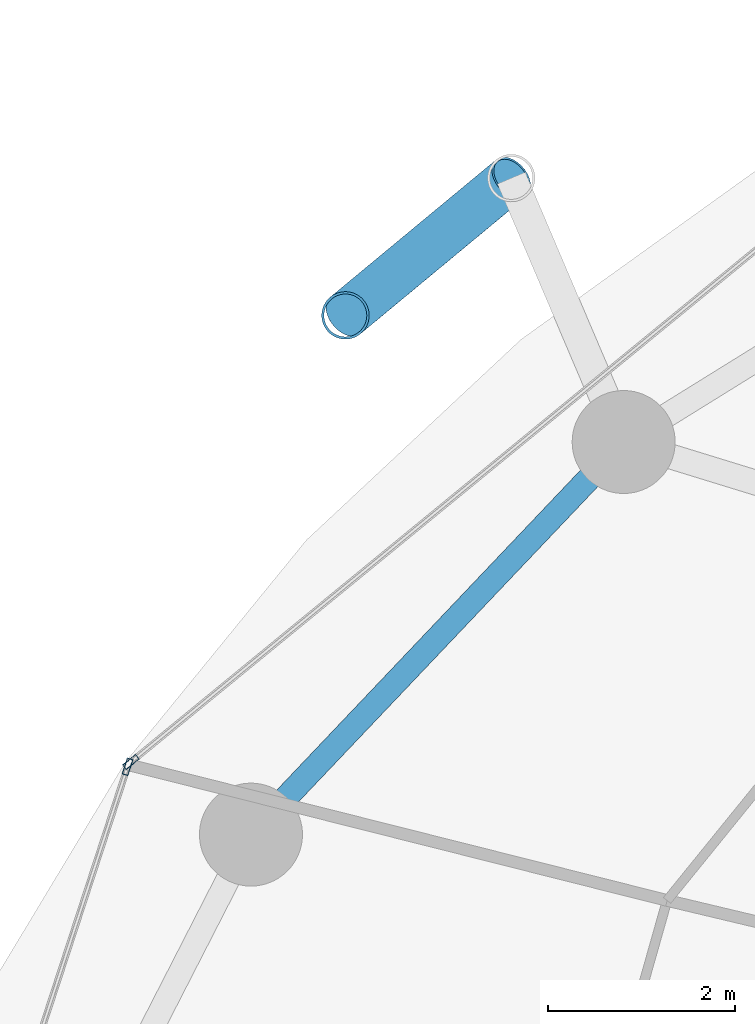
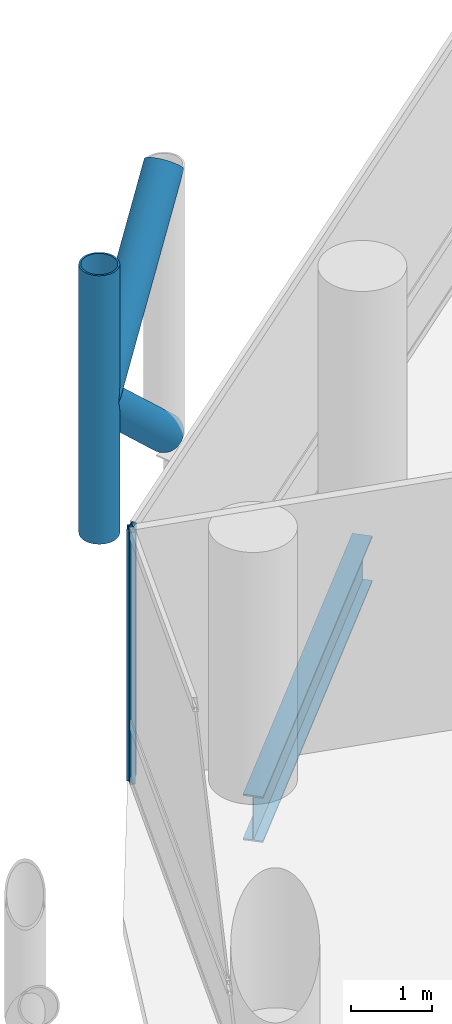
# One storey, part 13 of 24: 5 members, 1 beam, 2 elements without a shape of their own.
"""IFC4 building model written with IfcOpenShell, lengths in metres."""

from ifc_helpers import new_model, si_unit, direction, frame, origin, origin_2d, place, context, subcontext, project, spatial, hollow_rectangle, hollow_circle, i_section, extrude, material, layer, layer_set, material_profile, profile_set, type_object, element, aggregate, save


model = new_model("IFC4")

# Units and contexts
model_context = context("Model", 3, precision=1e-05, world=origin(), true_north=direction((0.0, 1.0)))
body_context = subcontext(model_context, "Body", "Model", "MODEL_VIEW")
ifc_project = project(units=[si_unit("LENGTHUNIT", "METRE"), si_unit("AREAUNIT", "SQUARE_METRE"), si_unit("VOLUMEUNIT", "CUBIC_METRE"), si_unit("PLANEANGLEUNIT", "RADIAN"), si_unit("MASSUNIT", "GRAM", prefix="KILO")], contexts=[model_context])

# Site, building, storey
site_placement = place(None, origin())
site = spatial("IfcSite", under=ifc_project, at=site_placement, CompositionType="ELEMENT")
building_placement = place(site_placement, origin())
building = spatial("IfcBuilding", under=site, at=building_placement, Name="Nuhasar Tower", CompositionType="ELEMENT")
storey_placement = place(building_placement, frame((0.0, 0.0, 85.800048828125)))
storey = spatial("IfcBuildingStorey", under=building, at=storey_placement, Name="L20", CompositionType="ELEMENT", Elevation=85.800048828125)

# Beam
ifc_material_1 = material(Name="Steel S355", Category="steel")
ifc_material_profile_1 = material_profile(ifc_material_1, i_section(OverallWidth=0.256103515625, OverallDepth=0.693115234375, WebThickness=0.014404296875, FlangeThickness=0.023681640625, at=origin_2d()), Name="W27X114")
ifc_profile_set_1 = profile_set([ifc_material_profile_1], Name="Steel S355")
beam_type = type_object("IfcBeamType", Name="BM-RING-W27X114", PredefinedType="SPANDREL", material=ifc_profile_set_1)
beam_placement = place(storey_placement, frame((21.287109375, 41.118896484375, -0.59716796875), z_axis=(-0.688480893507, -0.725254478976, 0.0), x_axis=(0.725254478976, -0.688480893507, 0.0)))
element("IfcBeam", 1, at=beam_placement, inside=storey, type_object=beam_type, Name="L20 Perimeter Ring Spandrel 10", PredefinedType="SPANDREL", context=body_context, shape_type="SweptSolid", body=[
    extrude(i_section(OverallWidth=0.256103515625, OverallDepth=0.693115234375, WebThickness=0.014404296875, FlangeThickness=0.023681640625, at=origin_2d()), origin(), (0.0, 0.0, 1.0), 5.782470703125),
])

# Curtain wall, member
ifc_material_2 = material(Name="Aluminium 6063-T6", Category="aluminium")
ifc_layer = layer(ifc_material_2, 0.199951171875)
ifc_layer_set = layer_set([ifc_layer], Name="Aluminium 6063-T6")
curtain_wall_type = type_object("IfcCurtainWallType", Name="CW-Z1-OFF", PredefinedType="NOTDEFINED", material=ifc_layer_set)
curtain_wall_1_placement = place(storey_placement, origin())
curtain_wall_1 = element("IfcCurtainWall", 2, at=curtain_wall_1_placement, inside=storey, type_object=curtain_wall_type, Name="L20 Unitised Curtain Wall 05", PredefinedType="NOTDEFINED")
ifc_material_profile_2 = material_profile(ifc_material_2, hollow_rectangle(XDim=0.06494140625, YDim=0.179931640625, WallThickness=0.0048828125, at=origin_2d()), Name="CWM-2")
ifc_profile_set_2 = profile_set([ifc_material_profile_2], Name="Aluminium 6063-T6")
member_type_1 = type_object("IfcMemberType", Name="CW-MUL-S2", PredefinedType="MULLION", material=ifc_profile_set_2)
member_1_placement = place(storey_placement, frame((16.023193359375, 37.70068359375, 0.0), z_axis=(0.0, 0.0, 1.0), x_axis=(0.633744593376, -0.773542364946, 0.0)))
member_1 = element("IfcMember", 3, at=member_1_placement, type_object=member_type_1, Name="CW-Z1 mullion 2", PredefinedType="MULLION", context=body_context, shape_type="SweptSolid", body=[
    extrude(hollow_rectangle(XDim=0.06494140625, YDim=0.179931640625, WallThickness=0.0048828125, at=origin_2d()), origin(), (0.0, 0.0, 1.0), 3.800048828125),
])
aggregate(curtain_wall_1, [member_1])

curtain_wall_2_placement = place(storey_placement, origin())
curtain_wall_2 = element("IfcCurtainWall", 4, at=curtain_wall_2_placement, inside=storey, type_object=curtain_wall_type, Name="L20 Unitised Curtain Wall 06", PredefinedType="NOTDEFINED")
member_2_placement = place(storey_placement, frame((15.98779296875, 37.649169921875, 0.0), z_axis=(0.0, 0.0, 1.0), x_axis=(0.950467534571, -0.310823849997, 0.0)))
member_2 = element("IfcMember", 5, at=member_2_placement, type_object=member_type_1, Name="CW-Z1 mullion 1", PredefinedType="MULLION", context=body_context, shape_type="SweptSolid", body=[
    extrude(hollow_rectangle(XDim=0.06494140625, YDim=0.179931640625, WallThickness=0.0048828125, at=origin_2d()), origin(), (0.0, 0.0, 1.0), 3.800048828125),
])
aggregate(curtain_wall_2, [member_2])

# Members
ifc_material_3 = material(Name="Steel S460", Category="steel")
ifc_material_profile_3 = material_profile(ifc_material_3, hollow_circle(Radius=0.25390625, WallThickness=0.025390625, at=origin_2d()), Name="HSS508X25.4")
ifc_profile_set_3 = profile_set([ifc_material_profile_3], Name="Steel S460")
member_type_2 = type_object("IfcMemberType", Name="EXO-BRONZE-508", PredefinedType="BRACE", material=ifc_profile_set_3)
member_3_placement = place(storey_placement, frame((18.31494140625, 42.470947265625, 0.0), z_axis=(0.0, 0.0, 1.0), x_axis=(1.0, 0.0, 0.0)))
element("IfcMember", 6, at=member_3_placement, inside=storey, type_object=member_type_2, Name="L20 Exoskeleton Chord Column EC-05B", PredefinedType="BRACE", context=body_context, shape_type="SweptSolid", body=[
    extrude(hollow_circle(Radius=0.25390625, WallThickness=0.025390625, at=origin_2d()), origin(), (0.0, 0.0, 1.0), 4.050048828125),
])
member_4_placement = place(storey_placement, frame((20.0869140625, 43.93896484375, 0.0), z_axis=(-0.578101613167, -0.478937034992, 0.660619286251), x_axis=(0.637969333506, -0.770061769929, 0.0)))
element("IfcMember", 7, at=member_4_placement, inside=storey, type_object=member_type_2, Name="L20 Bronze Diagrid Brace W1-05", PredefinedType="BRACE", context=body_context, shape_type="SweptSolid", body=[
    extrude(hollow_circle(Radius=0.25390625, WallThickness=0.025390625, at=origin_2d()), origin(), (0.0, 0.0, 1.0), 3.065185546875),
])
member_5_placement = place(storey_placement, frame((18.31494140625, 42.470947265625, 2.02490234375), z_axis=(0.578071194894, 0.478911834514, 0.660664172175), x_axis=(-0.637969333506, 0.770061769929, 0.0)))
element("IfcMember", 8, at=member_5_placement, inside=storey, type_object=member_type_2, Name="L20 Bronze Diagrid Brace W2-05", PredefinedType="BRACE", context=body_context, shape_type="SweptSolid", body=[
    extrude(hollow_circle(Radius=0.25390625, WallThickness=0.025390625, at=origin_2d()), origin(), (0.0, 0.0, 1.0), 3.0654296875),
])

save(model, "model.ifc")
